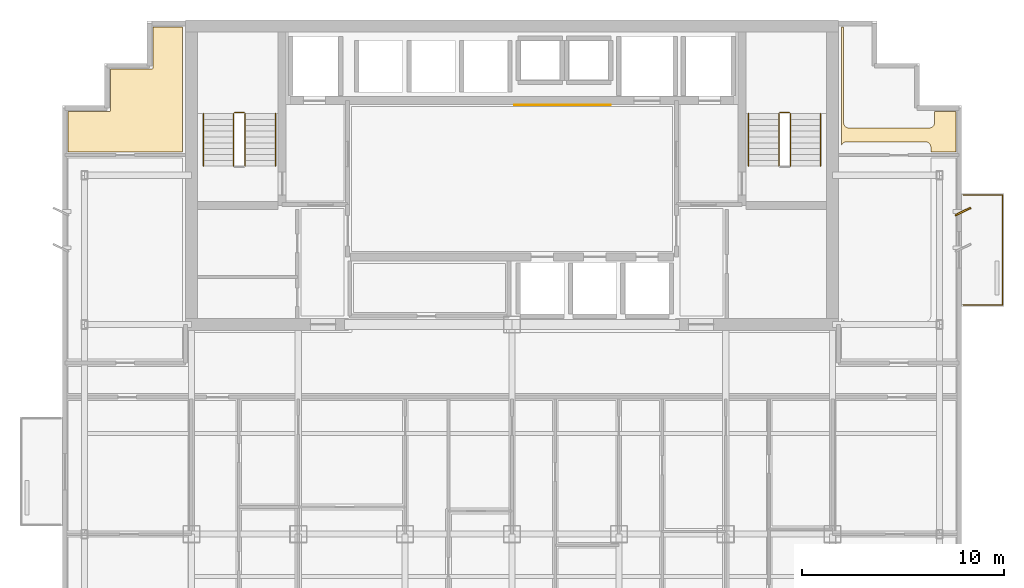
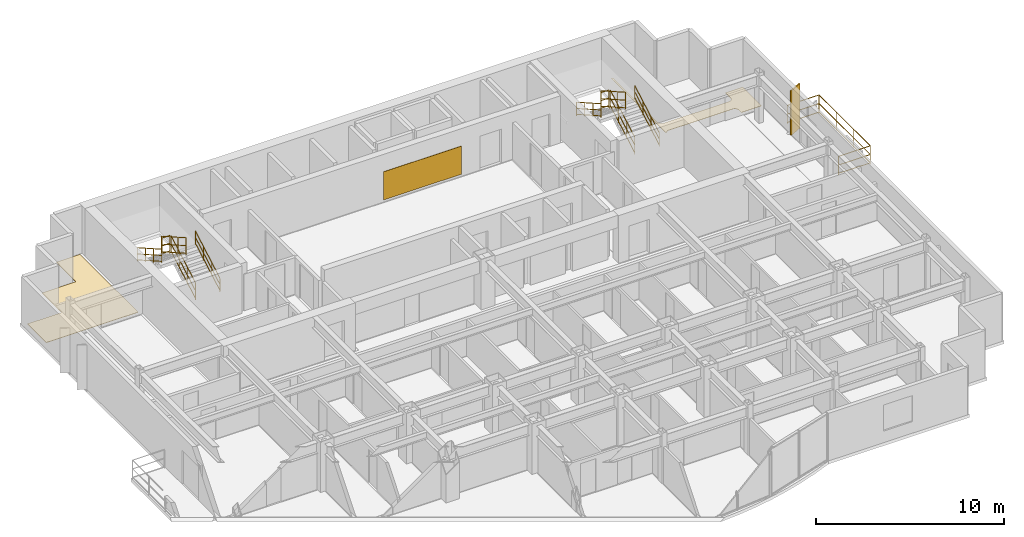
# One storey, part 11 of 11: 11 railings, 3 coverings, 1 shading device.
"""IFC4 building model written with IfcOpenShell, lengths in metres."""

import ifcopenshell
import ifcopenshell.guid

model = None  # the IFC model being written
_history = None  # IfcOwnerHistory: only IFC2X3 demands one
_inside = {}  # id of a spatial element -> (the spatial element, [elements in it])
_under = {}  # id of a project, library or spatial element -> (it, [spatial elements below it])
_declared = {}  # id of a project -> (the project, [libraries it declares])
_typed = {}  # id of a type object -> (the type object, [elements of that type])
_made_of = {}  # id of a material, layer set ... -> (it, [elements and type objects made of it])


def new_model(schema):
    """Start an empty IFC model of exactly this schema.

    Asked for "IFC4X3", IfcOpenShell would pick the latest addendum, in which some entities
    have other attributes; the version numbers below select the first issue.
    IFC2X3 requires an IfcOwnerHistory on every rooted entity: one is made here for all.
    """
    global model, _history
    if schema == "IFC4X3":
        model = ifcopenshell.file(schema_version=(4, 3, 0, 0))
    else:
        model = ifcopenshell.file(schema=schema)
    _inside.clear()
    _under.clear()
    _declared.clear()
    _typed.clear()
    _made_of.clear()
    _history = None
    if model.schema == "IFC2X3":
        org = make("IfcOrganization", Name="unknown")
        user = make(
            "IfcPersonAndOrganization",
            ThePerson=make("IfcPerson", FamilyName="unknown"),
            TheOrganization=org,
        )
        app = make(
            "IfcApplication",
            ApplicationDeveloper=org,
            Version="unknown",
            ApplicationFullName="unknown",
            ApplicationIdentifier="unknown",
        )
        _history = make(
            "IfcOwnerHistory",
            OwningUser=user,
            OwningApplication=app,
            ChangeAction="ADDED",
            CreationDate=0,
        )
    return model


def make(cls, **values):
    """One entity of the class cls with the attributes given. An attribute that is None is left unset."""
    return model.create_entity(
        cls, **{name: value for name, value in values.items() if value is not None}
    )


def rooted(cls, **values):
    """An entity with a GlobalId (a new one), such as an element, a storey or a relation."""
    return make(cls, GlobalId=ifcopenshell.guid.new(), OwnerHistory=_history, **values)


def si_unit(unit_type, name, prefix=None):
    """IfcSIUnit, for example si_unit("LENGTHUNIT", "METRE", prefix="MILLI")."""
    return make("IfcSIUnit", UnitType=unit_type, Prefix=prefix, Name=name)


def assignment(units):
    """IfcUnitAssignment: the units of a project."""
    return None if units is None else make("IfcUnitAssignment", Units=units)


def point(xyz):
    """IfcCartesianPoint."""
    return None if xyz is None else make("IfcCartesianPoint", Coordinates=xyz)


def direction(xyz):
    """IfcDirection."""
    return None if xyz is None else make("IfcDirection", DirectionRatios=xyz)


def frame(location, z_axis=None, x_axis=None):
    """IfcAxis2Placement3D, a coordinate frame: its origin and axes. An axis left out is left unset."""
    return make(
        "IfcAxis2Placement3D",
        Location=point(location),
        Axis=direction(z_axis),
        RefDirection=direction(x_axis),
    )


def frame_2d(location, x_axis=None):
    """IfcAxis2Placement2D, a coordinate frame in the plane: its origin and x axis."""
    return make(
        "IfcAxis2Placement2D", Location=point(location), RefDirection=direction(x_axis)
    )


def origin():
    """The frame at (0, 0, 0) with its axes left unset."""
    return frame((0.0, 0.0, 0.0))


def origin_2d():
    """The frame at (0, 0) in the plane with its x axis left unset."""
    return frame_2d((0.0, 0.0))


def place(relative_to, where):
    """IfcLocalPlacement: puts the frame where relative to a parent placement (None: the world)."""
    return make(
        "IfcLocalPlacement", PlacementRelTo=relative_to, RelativePlacement=where
    )


def context(
    kind, dimensions, precision=None, world=None, true_north=None, identifier=None
):
    """IfcGeometricRepresentationContext, for example the 3D "Model" context."""
    return make(
        "IfcGeometricRepresentationContext",
        ContextIdentifier=identifier,
        ContextType=kind,
        CoordinateSpaceDimension=dimensions,
        Precision=precision,
        WorldCoordinateSystem=world,
        TrueNorth=true_north,
    )


def subcontext(parent, identifier, kind, view, scale=None):
    """IfcGeometricRepresentationSubContext, for example "Body" below "Model"."""
    return make(
        "IfcGeometricRepresentationSubContext",
        ContextIdentifier=identifier,
        ContextType=kind,
        ParentContext=parent,
        TargetScale=scale,
        TargetView=view,
    )


def project(units=None, contexts=None):
    """IfcProject with its units and contexts."""
    return rooted(
        "IfcProject",
        Name="project",
        RepresentationContexts=contexts,
        UnitsInContext=assignment(units),
    )


def spatial(cls, under=None, at=None, **own):
    """A site, building, storey or space (cls), placed at a placement, below another one or the project."""
    s = rooted(cls, ObjectPlacement=at, **own)
    if under is not None:
        _under.setdefault(under.id(), (under, []))[1].append(s)
    return s


def polyline(points):
    """IfcPolyline through the points."""
    return make("IfcPolyline", Points=[point(p) for p in points])


def profile(cls, at=None, kind="AREA", **sizes):
    """A parametric profile (cls). Its sizes go by their IFC names, for example OverallWidth=200.0."""
    return make(cls, ProfileType=kind, Position=at, **sizes)


def rectangle(**sizes):
    """IfcRectangleProfileDef."""
    return profile("IfcRectangleProfileDef", **sizes)


def circle(**sizes):
    """IfcCircleProfileDef."""
    return profile("IfcCircleProfileDef", **sizes)


def outline(outer, holes=None, kind="AREA"):
    """IfcArbitraryClosedProfileDef: a profile drawn as a closed curve; with holes, ...WithVoids."""
    if holes is None:
        return make("IfcArbitraryClosedProfileDef", ProfileType=kind, OuterCurve=outer)
    return make(
        "IfcArbitraryProfileDefWithVoids",
        ProfileType=kind,
        OuterCurve=outer,
        InnerCurves=holes,
    )


def extrude(swept, where, along, depth):
    """IfcExtrudedAreaSolid: the profile swept, set in the frame where, extruded along a direction by depth."""
    return make(
        "IfcExtrudedAreaSolid",
        SweptArea=swept,
        Position=where,
        ExtrudedDirection=direction(along),
        Depth=depth,
    )


def shape(context_of_items, identifier, shape_type, items):
    """IfcShapeRepresentation: the items that make up one representation, for example the "Body"."""
    return make(
        "IfcShapeRepresentation",
        ContextOfItems=context_of_items,
        RepresentationIdentifier=identifier,
        RepresentationType=shape_type,
        Items=items,
    )


def source(mapping_origin, context_of_items, identifier, shape_type, items):
    """IfcRepresentationMap: a shape defined once, which mapped items show again and again."""
    return make(
        "IfcRepresentationMap",
        MappingOrigin=mapping_origin,
        MappedRepresentation=shape(context_of_items, identifier, shape_type, items),
    )


def transform(
    local_origin,
    x_axis=None,
    y_axis=None,
    z_axis=None,
    scale=None,
    scale2=None,
    scale3=None,
    uniform=True,
):
    """IfcCartesianTransformationOperator3D, or its non-uniform kind. x_axis, y_axis, z_axis: its Axis1, 2, 3."""
    if uniform:
        return make(
            "IfcCartesianTransformationOperator3D",
            Axis1=direction(x_axis),
            Axis2=direction(y_axis),
            LocalOrigin=point(local_origin),
            Scale=scale,
            Axis3=direction(z_axis),
        )
    return make(
        "IfcCartesianTransformationOperator3DnonUniform",
        Axis1=direction(x_axis),
        Axis2=direction(y_axis),
        LocalOrigin=point(local_origin),
        Scale=scale,
        Axis3=direction(z_axis),
        Scale2=scale2,
        Scale3=scale3,
    )


def mapped(mapping_source, mapping_target):
    """IfcMappedItem: shows the shape of a source again, moved by a transform."""
    return make(
        "IfcMappedItem", MappingSource=mapping_source, MappingTarget=mapping_target
    )


def material(Name=None, Category=None):
    """IfcMaterial."""
    return make("IfcMaterial", Name=Name, Category=Category)


def layer(
    of_material, thickness, ventilated=None, Name=None, Category=None, Priority=None
):
    """IfcMaterialLayer: one layer of a wall or slab, of a material (None: an air gap)."""
    return make(
        "IfcMaterialLayer",
        Material=of_material,
        LayerThickness=thickness,
        IsVentilated=ventilated,
        Name=Name,
        Category=Category,
        Priority=Priority,
    )


def layer_set(layers, Name=None):
    """IfcMaterialLayerSet."""
    return make("IfcMaterialLayerSet", MaterialLayers=layers, LayerSetName=Name)


def made_of(thing, what):
    """Note that an element or type object is made of a material, layer set ...; save() writes the relation."""
    if what is not None:
        _made_of.setdefault(what.id(), (what, []))[1].append(thing)
    return thing


def type_object(cls, material=None, **own):
    """A type object (cls), such as IfcWallType, which elements share."""
    return made_of(rooted(cls, **own), material)


def element(
    cls,
    number,
    at=None,
    inside=None,
    cuts=None,
    type_object=None,
    material=None,
    context=None,
    identifier="Body",
    shape_type=None,
    held_by="IfcProductDefinitionShape",
    body=None,
    shapes=None,
    **own,
):
    """One element of the class cls, such as IfcWall. Its Tag is "e" and its number.

    at: its placement. inside: the storey or other place that contains it. cuts: it is an
    opening in that element (IfcRelVoidsElement). A single representation is given by context,
    identifier, shape_type and body (its items); several are given by shapes. held_by: the class
    of the entity that holds the representations. save() writes the other relations.
    """
    e = rooted(cls, Tag="e%d" % number, ObjectPlacement=at, **own)
    if body is not None:
        shapes = [shape(context, identifier, shape_type, body)]
    if shapes is not None:
        e.Representation = make(held_by, Representations=shapes)
    if inside is not None:
        _inside.setdefault(inside.id(), (inside, []))[1].append(e)
    if cuts is not None:
        rooted(
            "IfcRelVoidsElement", RelatingBuildingElement=cuts, RelatedOpeningElement=e
        )
    if type_object is not None:
        _typed.setdefault(type_object.id(), (type_object, []))[1].append(e)
    return made_of(e, material)


def aggregate(whole, parts):
    """IfcRelAggregates: a whole, such as a stair, and the parts it consists of."""
    return rooted("IfcRelAggregates", RelatingObject=whole, RelatedObjects=parts)


def save(model, path):
    """Write the relations noted so far, then the file.

    IfcRelAggregates (storeys below a building ...), IfcRelContainedInSpatialStructure (elements
    in a storey), IfcRelDefinesByType, IfcRelAssociatesMaterial and IfcRelDeclares: one each for
    every whole, place, type object, material and project.
    """
    for whole, parts in _under.values():
        aggregate(whole, parts)
    for where, things in _inside.values():
        rooted(
            "IfcRelContainedInSpatialStructure",
            RelatedElements=things,
            RelatingStructure=where,
        )
    for kind, things in _typed.values():
        rooted("IfcRelDefinesByType", RelatedObjects=things, RelatingType=kind)
    for what, things in _made_of.values():
        rooted("IfcRelAssociatesMaterial", RelatedObjects=things, RelatingMaterial=what)
    for by, libraries in _declared.values():
        rooted("IfcRelDeclares", RelatingContext=by, RelatedDefinitions=libraries)
    model.write(path)


model = new_model("IFC4")

# Units and contexts
model_context = context("Model", 3, precision=1e-05, world=origin(), true_north=direction((0.0, 1.0)))
body_context = subcontext(model_context, "Body", "Model", "MODEL_VIEW")
ifc_project = project(units=[si_unit("LENGTHUNIT", "METRE"), si_unit("AREAUNIT", "SQUARE_METRE"), si_unit("VOLUMEUNIT", "CUBIC_METRE"), si_unit("PLANEANGLEUNIT", "RADIAN"), si_unit("MASSUNIT", "GRAM", prefix="KILO")], contexts=[model_context])

# Site, building, storey
site_placement = place(None, origin())
site = spatial("IfcSite", under=ifc_project, at=site_placement, CompositionType="ELEMENT")
building_placement = place(site_placement, origin())
building = spatial("IfcBuilding", under=site, at=building_placement, Name="Qianlan Lanfeng Residences", CompositionType="ELEMENT")
storey_placement = place(building_placement, frame((0.0, 0.0, 172.199951171875)))
storey = spatial("IfcBuildingStorey", under=building, at=storey_placement, Name="L47", CompositionType="ELEMENT", Elevation=172.199951171875)

# Coverings
ifc_material_1 = material(Name="Anodised Bronze Feature Wall Cladding")
ifc_layer_1 = layer(ifc_material_1, 0.02490234375)
ifc_layer_set_1 = layer_set([ifc_layer_1], Name="Anodised Bronze Feature Wall Cladding")
covering_type_1 = type_object("IfcCoveringType", Name="CLD-BRZ-25", PredefinedType="CLADDING", material=ifc_layer_set_1)
covering_1_placement = place(storey_placement, frame((0.0, 0.0, 0.150146484375)))
element("IfcCovering", 1, at=covering_1_placement, inside=storey, type_object=covering_type_1, Name="L47 Lift Lobby Bronze Feature Cladding", PredefinedType="CLADDING", context=body_context, shape_type="SweptSolid", body=[
    extrude(outline(polyline([(26.60009765625, 36.074951171875), (31.39990234375, 36.074951171875), (31.39990234375, 36.10009765625), (26.60009765625, 36.10009765625), (26.60009765625, 36.074951171875)])), origin(), (0.0, 0.0, 1.0), 1.829833984375),
])
ifc_material_2 = material(Name="Engineered Smoked Oak Timber Flooring", Category="wood")
ifc_layer_2 = layer(ifc_material_2, 0.02197265625)
ifc_layer_set_2 = layer_set([ifc_layer_2], Name="Engineered Smoked Oak Timber Flooring")
covering_type_2 = type_object("IfcCoveringType", Name="FLR-TIM-22", PredefinedType="FLOORING", material=ifc_layer_set_2)
covering_2_placement = place(storey_placement, origin())
element("IfcCovering", 2, at=covering_2_placement, inside=storey, type_object=covering_type_2, Name="L47 Resident Lounge Floor Finish", PredefinedType="FLOORING", context=body_context, shape_type="SweptSolid", body=[
    extrude(outline(polyline([(4.489990234375, 33.75), (10.14990234375, 33.75), (10.14990234375, 39.9599609375), (8.68994140625, 39.9599609375), (8.68994140625, 37.929931640625), (8.68994140625, 37.923095703125), (8.68896484375, 37.916015625), (8.68701171875, 37.909912109375), (8.68505859375, 37.903076171875), (8.681884765625, 37.89697265625), (8.677978515625, 37.89111328125), (8.674072265625, 37.885986328125), (8.6689453125, 37.881103515625), (8.6640625, 37.8759765625), (8.658935546875, 37.8720703125), (8.653076171875, 37.867919921875), (8.64697265625, 37.864990234375), (8.639892578125, 37.863037109375), (8.634033203125, 37.861083984375), (8.626953125, 37.860107421875), (8.6201171875, 37.860107421875), (6.590087890625, 37.860107421875), (6.590087890625, 35.830078125), (6.590087890625, 35.822998046875), (6.589111328125, 35.81591796875), (6.5869140625, 35.81005859375), (6.5849609375, 35.802978515625), (6.58203125, 35.797119140625), (6.577880859375, 35.791015625), (6.573974609375, 35.785888671875), (6.569091796875, 35.781005859375), (6.56396484375, 35.77587890625), (6.55908203125, 35.77197265625), (6.552978515625, 35.76806640625), (6.547119140625, 35.764892578125), (6.5400390625, 35.762939453125), (6.533935546875, 35.760986328125), (6.527099609375, 35.760009765625), (6.52001953125, 35.760009765625), (4.489990234375, 35.760009765625), (4.489990234375, 33.75)])), origin(), (0.0, 0.0, 1.0), 0.02197265625),
])
covering_3_placement = place(storey_placement, origin())
element("IfcCovering", 3, at=covering_3_placement, inside=storey, type_object=covering_type_2, Name="L47 Resident Lounge Floor Finish", PredefinedType="FLOORING", context=body_context, shape_type="SweptSolid", body=[
    extrude(outline(polyline([(42.85009765625, 34.097900390625), (42.860107421875, 34.117919921875), (42.8720703125, 34.138916015625), (42.886962890625, 34.158935546875), (42.903076171875, 34.177001953125), (42.9208984375, 34.193115234375), (42.94091796875, 34.2080078125), (42.9619140625, 34.219970703125), (42.98388671875, 34.23095703125), (43.007080078125, 34.239013671875), (43.031005859375, 34.2451171875), (43.054931640625, 34.2490234375), (43.080078125, 34.25), (47.02001953125, 34.25), (47.044921875, 34.2490234375), (47.069091796875, 34.2451171875), (47.093017578125, 34.239013671875), (47.115966796875, 34.23095703125), (47.137939453125, 34.219970703125), (47.158935546875, 34.2080078125), (47.178955078125, 34.193115234375), (47.197021484375, 34.177001953125), (47.212890625, 34.158935546875), (47.22802734375, 34.138916015625), (47.239990234375, 34.117919921875), (47.2509765625, 34.095947265625), (47.259033203125, 34.072998046875), (47.264892578125, 34.049072265625), (47.26904296875, 34.02490234375), (47.27001953125, 34.0), (47.27001953125, 33.75), (48.510009765625, 33.75), (48.510009765625, 35.760009765625), (47.449951171875, 35.760009765625), (47.449951171875, 35.199951171875), (47.448974609375, 35.175048828125), (47.445068359375, 35.15087890625), (47.43896484375, 35.126953125), (47.430908203125, 35.10400390625), (47.419921875, 35.08203125), (47.407958984375, 35.06103515625), (47.39306640625, 35.041015625), (47.376953125, 35.02294921875), (47.35888671875, 35.007080078125), (47.339111328125, 34.991943359375), (47.318115234375, 34.97998046875), (47.2958984375, 34.968994140625), (47.27294921875, 34.9609375), (47.2490234375, 34.955078125), (47.22509765625, 34.950927734375), (47.199951171875, 34.949951171875), (43.199951171875, 34.949951171875), (43.175048828125, 34.950927734375), (43.15087890625, 34.955078125), (43.126953125, 34.9609375), (43.10400390625, 34.968994140625), (43.08203125, 34.97998046875), (43.06103515625, 34.991943359375), (43.041015625, 35.007080078125), (43.02294921875, 35.02294921875), (43.007080078125, 35.041015625), (42.991943359375, 35.06103515625), (42.97998046875, 35.08203125), (42.968994140625, 35.10400390625), (42.9609375, 35.126953125), (42.955078125, 35.15087890625), (42.950927734375, 35.175048828125), (42.949951171875, 35.199951171875), (42.949951171875, 39.9599609375), (42.85009765625, 39.9599609375), (42.85009765625, 34.097900390625)])), origin(), (0.0, 0.0, 1.0), 0.02197265625),
])

# Railings
ifc_material_3 = material(Name="Anodised Bronze Aluminium and Laminated Glass Guard Balustrade", Category="aluminium")
railing_type_1 = type_object("IfcRailingType", Name="GR-EXT-1220", PredefinedType="BALUSTRADE", material=ifc_material_3)
railing_1_placement = place(storey_placement, frame((48.8701171875, 31.6298828125, 0.0)))
element("IfcRailing", 4, at=railing_1_placement, inside=storey, type_object=railing_type_1, Name="L47 Terrace Safety Guard GR-L47-EB-N", PredefinedType="BALUSTRADE", context=body_context, shape_type="SweptSolid", body=[
    extrude(circle(Radius=0.02490234375, at=origin_2d()), frame((0.0, 0.0, 0.0849609375), z_axis=(1.0, 0.0, 0.0), x_axis=(0.0, 1.0, 0.0)), (0.0, 0.0, 1.0), 1.9599609375),
    extrude(circle(Radius=0.02490234375, at=origin_2d()), frame((0.0, 0.0, 0.63427734375), z_axis=(1.0, 0.0, 0.0), x_axis=(0.0, 1.0, 0.0)), (0.0, 0.0, 1.0), 1.9599609375),
    extrude(circle(Radius=0.02490234375, at=origin_2d()), frame((0.0, 0.0, 1.19482421875), z_axis=(1.0, 0.0, 0.0), x_axis=(0.0, 1.0, 0.0)), (0.0, 0.0, 1.0), 1.9599609375),
    extrude(circle(Radius=0.02490234375, at=origin_2d()), frame((1.9599609375, 0.0, 0.0849609375), z_axis=(0.0, -1.0, 0.0), x_axis=(1.0, 0.0, 0.0)), (0.0, 0.0, 1.0), 5.4599609375),
    extrude(circle(Radius=0.02490234375, at=origin_2d()), frame((1.9599609375, 0.0, 0.63427734375), z_axis=(0.0, -1.0, 0.0), x_axis=(1.0, 0.0, 0.0)), (0.0, 0.0, 1.0), 5.4599609375),
    extrude(circle(Radius=0.02490234375, at=origin_2d()), frame((1.9599609375, 0.0, 1.19482421875), z_axis=(0.0, -1.0, 0.0), x_axis=(1.0, 0.0, 0.0)), (0.0, 0.0, 1.0), 5.4599609375),
    extrude(circle(Radius=0.02490234375, at=origin_2d()), frame((1.9599609375, -5.4599609375, 0.0849609375), z_axis=(-1.0, 0.0, 0.0), x_axis=(0.0, -1.0, 0.0)), (0.0, 0.0, 1.0), 1.9599609375),
    extrude(circle(Radius=0.02490234375, at=origin_2d()), frame((1.9599609375, -5.4599609375, 0.63427734375), z_axis=(-1.0, 0.0, 0.0), x_axis=(0.0, -1.0, 0.0)), (0.0, 0.0, 1.0), 1.9599609375),
    extrude(circle(Radius=0.02490234375, at=origin_2d()), frame((1.9599609375, -5.4599609375, 1.19482421875), z_axis=(-1.0, 0.0, 0.0), x_axis=(0.0, -1.0, 0.0)), (0.0, 0.0, 1.0), 1.9599609375),
    extrude(circle(Radius=0.02099609375, at=origin_2d()), origin(), (0.0, 0.0, 1.0), 1.169921875),
    extrude(circle(Radius=0.02099609375, at=origin_2d()), frame((1.9599609375, 0.0, 0.0)), (0.0, 0.0, 1.0), 1.169921875),
    extrude(circle(Radius=0.02099609375, at=origin_2d()), frame((1.9599609375, -1.820068359375, 0.0)), (0.0, 0.0, 1.0), 1.169921875),
    extrude(circle(Radius=0.02099609375, at=origin_2d()), frame((1.9599609375, -3.639892578125, 0.0)), (0.0, 0.0, 1.0), 1.169921875),
    extrude(circle(Radius=0.02099609375, at=origin_2d()), frame((1.9599609375, -5.4599609375, 0.0)), (0.0, 0.0, 1.0), 1.169921875),
    extrude(circle(Radius=0.02099609375, at=origin_2d()), frame((0.0, -5.4599609375, 0.0)), (0.0, 0.0, 1.0), 1.169921875),
])
ifc_material_4 = material(Name="Painted Galvanised Steel Guardrail", Category="steel")
railing_type_2 = type_object("IfcRailingType", Name="GR-ST-1120", PredefinedType="GUARDRAIL", material=ifc_material_4)
railing_2_placement = place(storey_placement, frame((13.27001953125, 33.050048828125, 0.1650390625)))
element("IfcRailing", 5, at=railing_2_placement, inside=storey, type_object=railing_type_2, Name="L47 ST-1 stair guard 1", PredefinedType="GUARDRAIL", context=body_context, shape_type="SweptSolid", body=[
    extrude(circle(Radius=0.02392578125, at=origin_2d()), frame((0.0, 0.0, 0.083984375), z_axis=(0.0, 0.869137319866, 0.494570843475), x_axis=(-1.0, 0.0, 0.0)), (0.0, 0.0, 1.0), 3.0029296875),
    extrude(circle(Radius=0.02392578125, at=origin_2d()), frame((0.0, 0.0, 0.58251953125), z_axis=(0.0, 0.869137319866, 0.494570843475), x_axis=(-1.0, 0.0, 0.0)), (0.0, 0.0, 1.0), 3.0029296875),
    extrude(circle(Radius=0.02392578125, at=origin_2d()), frame((0.0, 0.0, 1.09619140625), z_axis=(0.0, 0.869137319866, 0.494570843475), x_axis=(-1.0, 0.0, 0.0)), (0.0, 0.0, 1.0), 3.0029296875),
    extrude(circle(Radius=0.02099609375, at=origin_2d()), origin(), (0.0, 0.0, 1.0), 1.072021484375),
    extrude(circle(Radius=0.02099609375, at=origin_2d()), frame((0.0, 0.869873046875, 0.4951171875)), (0.0, 0.0, 1.0), 1.072021484375),
    extrude(circle(Radius=0.02099609375, at=origin_2d()), frame((0.0, 1.739990234375, 0.989990234375)), (0.0, 0.0, 1.0), 1.072021484375),
    extrude(circle(Radius=0.02099609375, at=origin_2d()), frame((0.0, 2.60986328125, 1.485107421875)), (0.0, 0.0, 1.0), 1.072021484375),
])
railing_3_placement = place(storey_placement, frame((13.219970703125, 35.7099609375, 1.650146484375)))
element("IfcRailing", 6, at=railing_3_placement, inside=storey, type_object=railing_type_2, Name="L47 ST-1 stair guard 2", PredefinedType="GUARDRAIL", context=body_context, shape_type="SweptSolid", body=[
    extrude(circle(Radius=0.02392578125, at=origin_2d()), frame((0.0, 0.0, 0.083984375), z_axis=(-1.0, 0.0, 0.0), x_axis=(0.0, -1.0, 0.0)), (0.0, 0.0, 1.0), 0.47998046875),
    extrude(circle(Radius=0.02392578125, at=origin_2d()), frame((0.0, 0.0, 0.58251953125), z_axis=(-1.0, 0.0, 0.0), x_axis=(0.0, -1.0, 0.0)), (0.0, 0.0, 1.0), 0.47998046875),
    extrude(circle(Radius=0.02392578125, at=origin_2d()), frame((0.0, 0.0, 1.09619140625), z_axis=(-1.0, 0.0, 0.0), x_axis=(0.0, -1.0, 0.0)), (0.0, 0.0, 1.0), 0.47998046875),
    extrude(circle(Radius=0.02099609375, at=origin_2d()), origin(), (0.0, 0.0, 1.0), 1.072021484375),
    extrude(circle(Radius=0.02099609375, at=origin_2d()), frame((-0.47998046875, 0.0, 0.0)), (0.0, 0.0, 1.0), 1.072021484375),
])
railing_4_placement = place(storey_placement, frame((12.68994140625, 35.659912109375, 1.81494140625)))
element("IfcRailing", 7, at=railing_4_placement, inside=storey, type_object=railing_type_2, Name="L47 ST-1 stair guard 3", PredefinedType="GUARDRAIL", context=body_context, shape_type="SweptSolid", body=[
    extrude(circle(Radius=0.02392578125, at=origin_2d()), frame((0.0, 0.0, 0.083984375), z_axis=(0.0, -0.869137319866, 0.494570843475), x_axis=(1.0, 0.0, 0.0)), (0.0, 0.0, 1.0), 3.0029296875),
    extrude(circle(Radius=0.02392578125, at=origin_2d()), frame((0.0, 0.0, 0.58251953125), z_axis=(0.0, -0.869137319866, 0.494570843475), x_axis=(1.0, 0.0, 0.0)), (0.0, 0.0, 1.0), 3.0029296875),
    extrude(circle(Radius=0.02392578125, at=origin_2d()), frame((0.0, 0.0, 1.09619140625), z_axis=(0.0, -0.869137319866, 0.494570843475), x_axis=(1.0, 0.0, 0.0)), (0.0, 0.0, 1.0), 3.0029296875),
    extrude(circle(Radius=0.02099609375, at=origin_2d()), origin(), (0.0, 0.0, 1.0), 1.072021484375),
    extrude(circle(Radius=0.02099609375, at=origin_2d()), frame((0.0, -0.869873046875, 0.4951171875)), (0.0, 0.0, 1.0), 1.072021484375),
    extrude(circle(Radius=0.02099609375, at=origin_2d()), frame((0.0, -1.739990234375, 0.989990234375)), (0.0, 0.0, 1.0), 1.072021484375),
    extrude(circle(Radius=0.02099609375, at=origin_2d()), frame((0.0, -2.60986328125, 1.485107421875)), (0.0, 0.0, 1.0), 1.072021484375),
])
railing_5_placement = place(storey_placement, frame((40.31005859375, 33.050048828125, 0.1650390625)))
element("IfcRailing", 8, at=railing_5_placement, inside=storey, type_object=railing_type_2, Name="L47 ST-2 stair guard 1", PredefinedType="GUARDRAIL", context=body_context, shape_type="SweptSolid", body=[
    extrude(circle(Radius=0.02392578125, at=origin_2d()), frame((0.0, 0.0, 0.083984375), z_axis=(0.0, 0.869137319866, 0.494570843475), x_axis=(-1.0, 0.0, 0.0)), (0.0, 0.0, 1.0), 3.0029296875),
    extrude(circle(Radius=0.02392578125, at=origin_2d()), frame((0.0, 0.0, 0.58251953125), z_axis=(0.0, 0.869137319866, 0.494570843475), x_axis=(-1.0, 0.0, 0.0)), (0.0, 0.0, 1.0), 3.0029296875),
    extrude(circle(Radius=0.02392578125, at=origin_2d()), frame((0.0, 0.0, 1.09619140625), z_axis=(0.0, 0.869137319866, 0.494570843475), x_axis=(-1.0, 0.0, 0.0)), (0.0, 0.0, 1.0), 3.0029296875),
    extrude(circle(Radius=0.02099609375, at=origin_2d()), origin(), (0.0, 0.0, 1.0), 1.072021484375),
    extrude(circle(Radius=0.02099609375, at=origin_2d()), frame((0.0, 0.869873046875, 0.4951171875)), (0.0, 0.0, 1.0), 1.072021484375),
    extrude(circle(Radius=0.02099609375, at=origin_2d()), frame((0.0, 1.739990234375, 0.989990234375)), (0.0, 0.0, 1.0), 1.072021484375),
    extrude(circle(Radius=0.02099609375, at=origin_2d()), frame((0.0, 2.60986328125, 1.485107421875)), (0.0, 0.0, 1.0), 1.072021484375),
])
railing_6_placement = place(storey_placement, frame((40.260009765625, 35.7099609375, 1.650146484375)))
element("IfcRailing", 9, at=railing_6_placement, inside=storey, type_object=railing_type_2, Name="L47 ST-2 stair guard 2", PredefinedType="GUARDRAIL", context=body_context, shape_type="SweptSolid", body=[
    extrude(circle(Radius=0.02392578125, at=origin_2d()), frame((0.0, 0.0, 0.083984375), z_axis=(-1.0, 0.0, 0.0), x_axis=(0.0, -1.0, 0.0)), (0.0, 0.0, 1.0), 0.47998046875),
    extrude(circle(Radius=0.02392578125, at=origin_2d()), frame((0.0, 0.0, 0.58251953125), z_axis=(-1.0, 0.0, 0.0), x_axis=(0.0, -1.0, 0.0)), (0.0, 0.0, 1.0), 0.47998046875),
    extrude(circle(Radius=0.02392578125, at=origin_2d()), frame((0.0, 0.0, 1.09619140625), z_axis=(-1.0, 0.0, 0.0), x_axis=(0.0, -1.0, 0.0)), (0.0, 0.0, 1.0), 0.47998046875),
    extrude(circle(Radius=0.02099609375, at=origin_2d()), origin(), (0.0, 0.0, 1.0), 1.072021484375),
    extrude(circle(Radius=0.02099609375, at=origin_2d()), frame((-0.47998046875, 0.0, 0.0)), (0.0, 0.0, 1.0), 1.072021484375),
])
railing_7_placement = place(storey_placement, frame((39.72998046875, 35.659912109375, 1.81494140625)))
element("IfcRailing", 10, at=railing_7_placement, inside=storey, type_object=railing_type_2, Name="L47 ST-2 stair guard 3", PredefinedType="GUARDRAIL", context=body_context, shape_type="SweptSolid", body=[
    extrude(circle(Radius=0.02392578125, at=origin_2d()), frame((0.0, 0.0, 0.083984375), z_axis=(0.0, -0.869137319866, 0.494570843475), x_axis=(1.0, 0.0, 0.0)), (0.0, 0.0, 1.0), 3.0029296875),
    extrude(circle(Radius=0.02392578125, at=origin_2d()), frame((0.0, 0.0, 0.58251953125), z_axis=(0.0, -0.869137319866, 0.494570843475), x_axis=(1.0, 0.0, 0.0)), (0.0, 0.0, 1.0), 3.0029296875),
    extrude(circle(Radius=0.02392578125, at=origin_2d()), frame((0.0, 0.0, 1.09619140625), z_axis=(0.0, -0.869137319866, 0.494570843475), x_axis=(1.0, 0.0, 0.0)), (0.0, 0.0, 1.0), 3.0029296875),
    extrude(circle(Radius=0.02099609375, at=origin_2d()), origin(), (0.0, 0.0, 1.0), 1.072021484375),
    extrude(circle(Radius=0.02099609375, at=origin_2d()), frame((0.0, -0.869873046875, 0.4951171875)), (0.0, 0.0, 1.0), 1.072021484375),
    extrude(circle(Radius=0.02099609375, at=origin_2d()), frame((0.0, -1.739990234375, 0.989990234375)), (0.0, 0.0, 1.0), 1.072021484375),
    extrude(circle(Radius=0.02099609375, at=origin_2d()), frame((0.0, -2.60986328125, 1.485107421875)), (0.0, 0.0, 1.0), 1.072021484375),
])
ifc_material_5 = material(Name="Brushed Stainless Steel Handrail", Category="steel")
railing_type_3 = type_object("IfcRailingType", Name="HR-ST-920", PredefinedType="HANDRAIL", material=ifc_material_5)
railing_8_placement = place(storey_placement, frame((14.77001953125, 33.050048828125, 0.1650390625)))
element("IfcRailing", 11, at=railing_8_placement, inside=storey, type_object=railing_type_3, Name="L47 ST-1 stair handrail 1", PredefinedType="HANDRAIL", context=body_context, shape_type="SweptSolid", body=[
    extrude(circle(Radius=0.02392578125, at=origin_2d()), frame((0.0, 0.0, 0.083984375), z_axis=(0.0, 0.869137319866, 0.494570843475), x_axis=(-1.0, 0.0, 0.0)), (0.0, 0.0, 1.0), 3.0029296875),
    extrude(circle(Radius=0.02392578125, at=origin_2d()), frame((0.0, 0.0, 0.468017578125), z_axis=(0.0, 0.869137319866, 0.494570843475), x_axis=(-1.0, 0.0, 0.0)), (0.0, 0.0, 1.0), 3.0029296875),
    extrude(circle(Radius=0.02392578125, at=origin_2d()), frame((0.0, 0.0, 0.8759765625), z_axis=(0.0, 0.869137319866, 0.494570843475), x_axis=(-1.0, 0.0, 0.0)), (0.0, 0.0, 1.0), 3.0029296875),
    extrude(circle(Radius=0.02099609375, at=origin_2d()), origin(), (0.0, 0.0, 1.0), 0.851806640625),
    extrude(circle(Radius=0.02099609375, at=origin_2d()), frame((0.0, 0.869873046875, 0.4951171875)), (0.0, 0.0, 1.0), 0.851806640625),
    extrude(circle(Radius=0.02099609375, at=origin_2d()), frame((0.0, 1.739990234375, 0.989990234375)), (0.0, 0.0, 1.0), 0.851806640625),
    extrude(circle(Radius=0.02099609375, at=origin_2d()), frame((0.0, 2.60986328125, 1.485107421875)), (0.0, 0.0, 1.0), 0.851806640625),
])
railing_9_placement = place(storey_placement, frame((11.18994140625, 35.659912109375, 1.81494140625)))
element("IfcRailing", 12, at=railing_9_placement, inside=storey, type_object=railing_type_3, Name="L47 ST-1 stair handrail 2", PredefinedType="HANDRAIL", context=body_context, shape_type="SweptSolid", body=[
    extrude(circle(Radius=0.02392578125, at=origin_2d()), frame((0.0, 0.0, 0.083984375), z_axis=(0.0, -0.869137319866, 0.494570843475), x_axis=(1.0, 0.0, 0.0)), (0.0, 0.0, 1.0), 3.0029296875),
    extrude(circle(Radius=0.02392578125, at=origin_2d()), frame((0.0, 0.0, 0.468017578125), z_axis=(0.0, -0.869137319866, 0.494570843475), x_axis=(1.0, 0.0, 0.0)), (0.0, 0.0, 1.0), 3.0029296875),
    extrude(circle(Radius=0.02392578125, at=origin_2d()), frame((0.0, 0.0, 0.8759765625), z_axis=(0.0, -0.869137319866, 0.494570843475), x_axis=(1.0, 0.0, 0.0)), (0.0, 0.0, 1.0), 3.0029296875),
    extrude(circle(Radius=0.02099609375, at=origin_2d()), origin(), (0.0, 0.0, 1.0), 0.851806640625),
    extrude(circle(Radius=0.02099609375, at=origin_2d()), frame((0.0, -0.869873046875, 0.4951171875)), (0.0, 0.0, 1.0), 0.851806640625),
    extrude(circle(Radius=0.02099609375, at=origin_2d()), frame((0.0, -1.739990234375, 0.989990234375)), (0.0, 0.0, 1.0), 0.851806640625),
    extrude(circle(Radius=0.02099609375, at=origin_2d()), frame((0.0, -2.60986328125, 1.485107421875)), (0.0, 0.0, 1.0), 0.851806640625),
])
railing_10_placement = place(storey_placement, frame((41.81005859375, 33.050048828125, 0.1650390625)))
element("IfcRailing", 13, at=railing_10_placement, inside=storey, type_object=railing_type_3, Name="L47 ST-2 stair handrail 1", PredefinedType="HANDRAIL", context=body_context, shape_type="SweptSolid", body=[
    extrude(circle(Radius=0.02392578125, at=origin_2d()), frame((0.0, 0.0, 0.083984375), z_axis=(0.0, 0.869137319866, 0.494570843475), x_axis=(-1.0, 0.0, 0.0)), (0.0, 0.0, 1.0), 3.0029296875),
    extrude(circle(Radius=0.02392578125, at=origin_2d()), frame((0.0, 0.0, 0.468017578125), z_axis=(0.0, 0.869137319866, 0.494570843475), x_axis=(-1.0, 0.0, 0.0)), (0.0, 0.0, 1.0), 3.0029296875),
    extrude(circle(Radius=0.02392578125, at=origin_2d()), frame((0.0, 0.0, 0.8759765625), z_axis=(0.0, 0.869137319866, 0.494570843475), x_axis=(-1.0, 0.0, 0.0)), (0.0, 0.0, 1.0), 3.0029296875),
    extrude(circle(Radius=0.02099609375, at=origin_2d()), origin(), (0.0, 0.0, 1.0), 0.851806640625),
    extrude(circle(Radius=0.02099609375, at=origin_2d()), frame((0.0, 0.869873046875, 0.4951171875)), (0.0, 0.0, 1.0), 0.851806640625),
    extrude(circle(Radius=0.02099609375, at=origin_2d()), frame((0.0, 1.739990234375, 0.989990234375)), (0.0, 0.0, 1.0), 0.851806640625),
    extrude(circle(Radius=0.02099609375, at=origin_2d()), frame((0.0, 2.60986328125, 1.485107421875)), (0.0, 0.0, 1.0), 0.851806640625),
])
railing_11_placement = place(storey_placement, frame((38.22998046875, 35.659912109375, 1.81494140625)))
element("IfcRailing", 14, at=railing_11_placement, inside=storey, type_object=railing_type_3, Name="L47 ST-2 stair handrail 2", PredefinedType="HANDRAIL", context=body_context, shape_type="SweptSolid", body=[
    extrude(circle(Radius=0.02392578125, at=origin_2d()), frame((0.0, 0.0, 0.083984375), z_axis=(0.0, -0.869137319866, 0.494570843475), x_axis=(1.0, 0.0, 0.0)), (0.0, 0.0, 1.0), 3.0029296875),
    extrude(circle(Radius=0.02392578125, at=origin_2d()), frame((0.0, 0.0, 0.468017578125), z_axis=(0.0, -0.869137319866, 0.494570843475), x_axis=(1.0, 0.0, 0.0)), (0.0, 0.0, 1.0), 3.0029296875),
    extrude(circle(Radius=0.02392578125, at=origin_2d()), frame((0.0, 0.0, 0.8759765625), z_axis=(0.0, -0.869137319866, 0.494570843475), x_axis=(1.0, 0.0, 0.0)), (0.0, 0.0, 1.0), 3.0029296875),
    extrude(circle(Radius=0.02099609375, at=origin_2d()), origin(), (0.0, 0.0, 1.0), 0.851806640625),
    extrude(circle(Radius=0.02099609375, at=origin_2d()), frame((0.0, -0.869873046875, 0.4951171875)), (0.0, 0.0, 1.0), 0.851806640625),
    extrude(circle(Radius=0.02099609375, at=origin_2d()), frame((0.0, -1.739990234375, 0.989990234375)), (0.0, 0.0, 1.0), 0.851806640625),
    extrude(circle(Radius=0.02099609375, at=origin_2d()), frame((0.0, -2.60986328125, 1.485107421875)), (0.0, 0.0, 1.0), 0.851806640625),
])

# Shading device
ifc_material_6 = material(Name="Anodised Bronze Aluminium Solar Fin", Category="aluminium")
shading_device_type = type_object("IfcShadingDeviceType", Name="FIN-BRZ-850", PredefinedType="SHUTTER", material=ifc_material_6)
shared_shape = source(origin(), body_context, "Body", "SweptSolid", [
    extrude(rectangle(XDim=0.85009765625, YDim=0.080078125, at=origin_2d()), origin(), (0.0, 0.0, 1.0), 2.89990234375),
])
shading_device_placement = place(storey_placement, frame((48.8701171875, 30.800048828125, 0.0), z_axis=(0.0, 0.0, 1.0), x_axis=(0.898794046299, 0.438371146789, 0.0)))
element("IfcShadingDevice", 15, at=shading_device_placement, inside=storey, type_object=shading_device_type, Name="L47 Raked Bronze Solar Fin E2", PredefinedType="SHUTTER", context=body_context, shape_type="MappedRepresentation", body=[
    mapped(shared_shape, transform((0.0, 0.0, 0.0), scale=1.0)),
])

save(model, "model.ifc")
